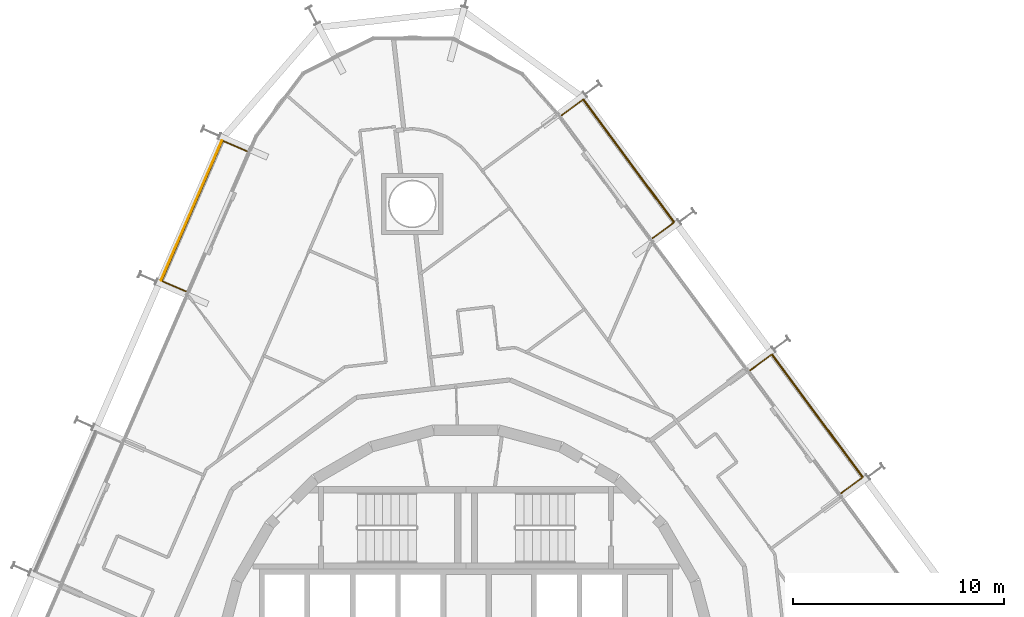
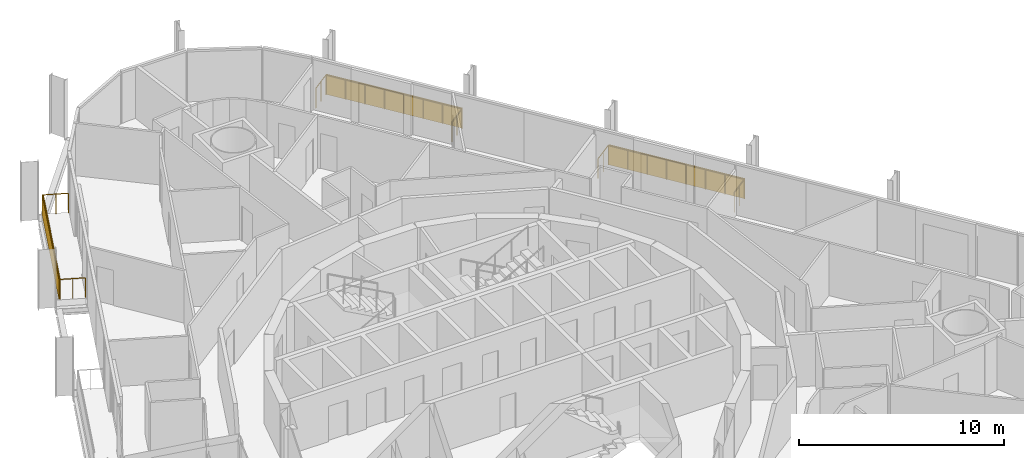
# One storey, part 24 of 24: 3 railings, 3 shading devices.
"""IFC4 building model written with IfcOpenShell, lengths in metres."""

from ifc_helpers import new_model, si_unit, direction, frame, origin, origin_2d, place, context, subcontext, project, spatial, rectangle, circle, extrude, material, layer, layer_set, type_object, element, save


model = new_model("IFC4")

# Units and contexts
model_context = context("Model", 3, precision=1e-05, world=origin(), true_north=direction((0.0, 1.0)))
body_context = subcontext(model_context, "Body", "Model", "MODEL_VIEW")
ifc_project = project(units=[si_unit("LENGTHUNIT", "METRE"), si_unit("AREAUNIT", "SQUARE_METRE"), si_unit("VOLUMEUNIT", "CUBIC_METRE"), si_unit("PLANEANGLEUNIT", "RADIAN"), si_unit("MASSUNIT", "GRAM", prefix="KILO")], contexts=[model_context])

# Site, building, storey
site_placement = place(None, origin())
site = spatial("IfcSite", under=ifc_project, at=site_placement, CompositionType="ELEMENT")
building_placement = place(site_placement, origin())
building = spatial("IfcBuilding", under=site, at=building_placement, Name="Spindle Arch Residences", CompositionType="ELEMENT")
storey_placement = place(building_placement, frame((0.0, 0.0, 101.199951171875)))
storey = spatial("IfcBuildingStorey", under=building, at=storey_placement, Name="L24", CompositionType="ELEMENT", Elevation=101.199951171875)

# Railings
ifc_material_1 = material(Name="Bronze anodised aluminium guard with glass infill", Category="aluminium")
railing_type = type_object("IfcRailingType", Name="Balcony guard 1200", PredefinedType="GUARDRAIL", material=ifc_material_1)
railing_1_placement = place(storey_placement, frame((17.788818359375, 8.654296875, 0.0)))
element("IfcRailing", 1, at=railing_1_placement, inside=storey, type_object=railing_type, Name="Guard L24 bay 8", PredefinedType="GUARDRAIL", context=body_context, shape_type="SweptSolid", body=[
    extrude(circle(Radius=0.02392578125, at=origin_2d()), frame((0.0, 0.0, 1.17578125), z_axis=(0.803826957932, 0.594863195787, 0.0), x_axis=(-0.594863195787, 0.803826957932, 0.0)), (0.0, 0.0, 1.0), 1.250244140625),
    extrude(circle(Radius=0.02392578125, at=origin_2d()), frame((1.0048828125, 0.74365234375, 1.17578125), z_axis=(-0.594830382786, 0.803851239792, 0.0), x_axis=(-0.803851239792, -0.594830382786, 0.0)), (0.0, 0.0, 1.0), 7.248779296875),
    extrude(circle(Radius=0.02392578125, at=origin_2d()), frame((-3.306884765625, 6.570556640625, 1.17578125), z_axis=(-0.803920341668, -0.594736987459, 0.0), x_axis=(0.594736987459, -0.803920341668, 0.0)), (0.0, 0.0, 1.0), 1.25),
    extrude(circle(Radius=0.02099609375, at=origin_2d()), origin(), (0.0, 0.0, 1.0), 1.15185546875),
    extrude(circle(Radius=0.02099609375, at=origin_2d()), frame((0.50244140625, 0.371826171875, 0.0)), (0.0, 0.0, 1.0), 1.15185546875),
    extrude(circle(Radius=0.02099609375, at=origin_2d()), frame((1.0048828125, 0.74365234375, 0.0)), (0.0, 0.0, 1.0), 1.15185546875),
    extrude(circle(Radius=0.02099609375, at=origin_2d()), frame((0.388916015625, 1.576171875, 0.0)), (0.0, 0.0, 1.0), 1.15185546875),
    extrude(circle(Radius=0.02099609375, at=origin_2d()), frame((-0.22705078125, 2.408447265625, 0.0)), (0.0, 0.0, 1.0), 1.15185546875),
    extrude(circle(Radius=0.02099609375, at=origin_2d()), frame((-0.843017578125, 3.240966796875, 0.0)), (0.0, 0.0, 1.0), 1.15185546875),
    extrude(circle(Radius=0.02099609375, at=origin_2d()), frame((-1.458984375, 4.0732421875, 0.0)), (0.0, 0.0, 1.0), 1.15185546875),
    extrude(circle(Radius=0.02099609375, at=origin_2d()), frame((-2.074951171875, 4.90576171875, 0.0)), (0.0, 0.0, 1.0), 1.15185546875),
    extrude(circle(Radius=0.02099609375, at=origin_2d()), frame((-2.69091796875, 5.738037109375, 0.0)), (0.0, 0.0, 1.0), 1.15185546875),
    extrude(circle(Radius=0.02099609375, at=origin_2d()), frame((-3.306884765625, 6.570556640625, 0.0)), (0.0, 0.0, 1.0), 1.15185546875),
    extrude(circle(Radius=0.02099609375, at=origin_2d()), frame((-3.809326171875, 6.19873046875, 0.0)), (0.0, 0.0, 1.0), 1.15185546875),
    extrude(circle(Radius=0.02099609375, at=origin_2d()), frame((-4.311767578125, 5.8271484375, 0.0)), (0.0, 0.0, 1.0), 1.15185546875),
])
railing_2_placement = place(storey_placement, frame((8.84423828125, 20.742431640625, 0.0)))
element("IfcRailing", 2, at=railing_2_placement, inside=storey, type_object=railing_type, Name="Guard L24 bay 10", PredefinedType="GUARDRAIL", context=body_context, shape_type="SweptSolid", body=[
    extrude(circle(Radius=0.02392578125, at=origin_2d()), frame((0.0, 0.0, 1.17578125), z_axis=(0.803851239792, 0.594830382786, 0.0), x_axis=(-0.594830382786, 0.803851239792, 0.0)), (0.0, 0.0, 1.0), 1.249755859375),
    extrude(circle(Radius=0.02392578125, at=origin_2d()), frame((1.004638671875, 0.743408203125, 1.17578125), z_axis=(-0.594814278624, 0.803863156231, 0.0), x_axis=(-0.803863156231, -0.594814278624, 0.0)), (0.0, 0.0, 1.0), 7.2490234375),
    extrude(circle(Radius=0.02392578125, at=origin_2d()), frame((-3.30712890625, 6.570556640625, 1.17578125), z_axis=(-0.803757834758, -0.594956589228, 0.0), x_axis=(0.594956589228, -0.803757834758, 0.0)), (0.0, 0.0, 1.0), 1.25),
    extrude(circle(Radius=0.02099609375, at=origin_2d()), origin(), (0.0, 0.0, 1.0), 1.15185546875),
    extrude(circle(Radius=0.02099609375, at=origin_2d()), frame((0.50244140625, 0.37158203125, 0.0)), (0.0, 0.0, 1.0), 1.15185546875),
    extrude(circle(Radius=0.02099609375, at=origin_2d()), frame((1.004638671875, 0.743408203125, 0.0)), (0.0, 0.0, 1.0), 1.15185546875),
    extrude(circle(Radius=0.02099609375, at=origin_2d()), frame((0.388671875, 1.575927734375, 0.0)), (0.0, 0.0, 1.0), 1.15185546875),
    extrude(circle(Radius=0.02099609375, at=origin_2d()), frame((-0.227294921875, 2.408203125, 0.0)), (0.0, 0.0, 1.0), 1.15185546875),
    extrude(circle(Radius=0.02099609375, at=origin_2d()), frame((-0.84326171875, 3.24072265625, 0.0)), (0.0, 0.0, 1.0), 1.15185546875),
    extrude(circle(Radius=0.02099609375, at=origin_2d()), frame((-1.459228515625, 4.0732421875, 0.0)), (0.0, 0.0, 1.0), 1.15185546875),
    extrude(circle(Radius=0.02099609375, at=origin_2d()), frame((-2.0751953125, 4.90576171875, 0.0)), (0.0, 0.0, 1.0), 1.15185546875),
    extrude(circle(Radius=0.02099609375, at=origin_2d()), frame((-2.691162109375, 5.738037109375, 0.0)), (0.0, 0.0, 1.0), 1.15185546875),
    extrude(circle(Radius=0.02099609375, at=origin_2d()), frame((-3.30712890625, 6.570556640625, 0.0)), (0.0, 0.0, 1.0), 1.15185546875),
    extrude(circle(Radius=0.02099609375, at=origin_2d()), frame((-3.8095703125, 6.19873046875, 0.0)), (0.0, 0.0, 1.0), 1.15185546875),
    extrude(circle(Radius=0.02099609375, at=origin_2d()), frame((-4.311767578125, 5.826904296875, 0.0)), (0.0, 0.0, 1.0), 1.15185546875),
])
railing_3_placement = place(storey_placement, frame((-10.39306640625, 24.868896484375, 0.0)))
element("IfcRailing", 3, at=railing_3_placement, inside=storey, type_object=railing_type, Name="Guard L24 bay 14", PredefinedType="GUARDRAIL", context=body_context, shape_type="SweptSolid", body=[
    extrude(circle(Radius=0.02392578125, at=origin_2d()), frame((0.0, 0.0, 1.17578125), z_axis=(-0.917020365572, 0.398840380511, 0.0), x_axis=(-0.398840380511, -0.917020365572, 0.0)), (0.0, 0.0, 1.0), 1.25),
    extrude(circle(Radius=0.02392578125, at=origin_2d()), frame((-1.146240234375, 0.49853515625, 1.17578125), z_axis=(-0.3987630566, -0.917053992244, 0.0), x_axis=(0.917053992244, -0.3987630566, 0.0)), (0.0, 0.0, 1.0), 7.2490234375),
    extrude(circle(Radius=0.02392578125, at=origin_2d()), frame((-4.036865234375, -6.149169921875, 1.17578125), z_axis=(0.917051427253, -0.398768955377, 0.0), x_axis=(0.398768955377, 0.917051427253, 0.0)), (0.0, 0.0, 1.0), 1.250244140625),
    extrude(circle(Radius=0.02099609375, at=origin_2d()), origin(), (0.0, 0.0, 1.0), 1.15185546875),
    extrude(circle(Radius=0.02099609375, at=origin_2d()), frame((-0.5732421875, 0.249267578125, 0.0)), (0.0, 0.0, 1.0), 1.15185546875),
    extrude(circle(Radius=0.02099609375, at=origin_2d()), frame((-1.146240234375, 0.49853515625, 0.0)), (0.0, 0.0, 1.0), 1.15185546875),
    extrude(circle(Radius=0.02099609375, at=origin_2d()), frame((-1.55908203125, -0.451171875, 0.0)), (0.0, 0.0, 1.0), 1.15185546875),
    extrude(circle(Radius=0.02099609375, at=origin_2d()), frame((-1.97216796875, -1.40087890625, 0.0)), (0.0, 0.0, 1.0), 1.15185546875),
    extrude(circle(Radius=0.02099609375, at=origin_2d()), frame((-2.385009765625, -2.3505859375, 0.0)), (0.0, 0.0, 1.0), 1.15185546875),
    extrude(circle(Radius=0.02099609375, at=origin_2d()), frame((-2.798095703125, -3.300048828125, 0.0)), (0.0, 0.0, 1.0), 1.15185546875),
    extrude(circle(Radius=0.02099609375, at=origin_2d()), frame((-3.2109375, -4.249755859375, 0.0)), (0.0, 0.0, 1.0), 1.15185546875),
    extrude(circle(Radius=0.02099609375, at=origin_2d()), frame((-3.6240234375, -5.199462890625, 0.0)), (0.0, 0.0, 1.0), 1.15185546875),
    extrude(circle(Radius=0.02099609375, at=origin_2d()), frame((-4.036865234375, -6.149169921875, 0.0)), (0.0, 0.0, 1.0), 1.15185546875),
    extrude(circle(Radius=0.02099609375, at=origin_2d()), frame((-3.463623046875, -6.3984375, 0.0)), (0.0, 0.0, 1.0), 1.15185546875),
    extrude(circle(Radius=0.02099609375, at=origin_2d()), frame((-2.890380859375, -6.647705078125, 0.0)), (0.0, 0.0, 1.0), 1.15185546875),
])

# Shading devices
ifc_material_2 = material(Name="Bronze perforated cobogo screen")
ifc_layer = layer(ifc_material_2, 0.0390625)
ifc_layer_set = layer_set([ifc_layer], Name="Cobogo screen 1200")
shading_device_type = type_object("IfcShadingDeviceType", Name="Cobogo screen 1200", PredefinedType="USERDEFINED", material=ifc_layer_set)
for number, where, z_axis, x_axis, name in (
    (4, (16.67041015625, 12.33544921875, 0.0), (0.0, 0.0, 1.0), (-0.594822786751, 0.803856860617, 0.0), "Cobogo screen L24 bay 8"),
    (5, (7.7255859375, 24.423583984375, 0.0), (0.0, 0.0, 1.0), (-0.594822786751, 0.803856860617, 0.0), "Cobogo screen L24 bay 10"),
    (6, (-13.021728515625, 22.0595703125, 0.0), (0.0, 0.0, 1.0), (-0.398749068925, -0.917060074385, 0.0), "Cobogo screen L24 bay 14"),
):
    element("IfcShadingDevice", number, at=place(storey_placement, frame(where, z_axis=z_axis, x_axis=x_axis)), inside=storey, type_object=shading_device_type, Name=name, ObjectType="SCREEN", PredefinedType="USERDEFINED", context=body_context, shape_type="SweptSolid", body=[
        extrude(rectangle(XDim=7.248779296875, YDim=0.0390625, at=origin_2d()), origin(), (0.0, 0.0, 1.0), 1.199951171875),
    ])

save(model, "model.ifc")
